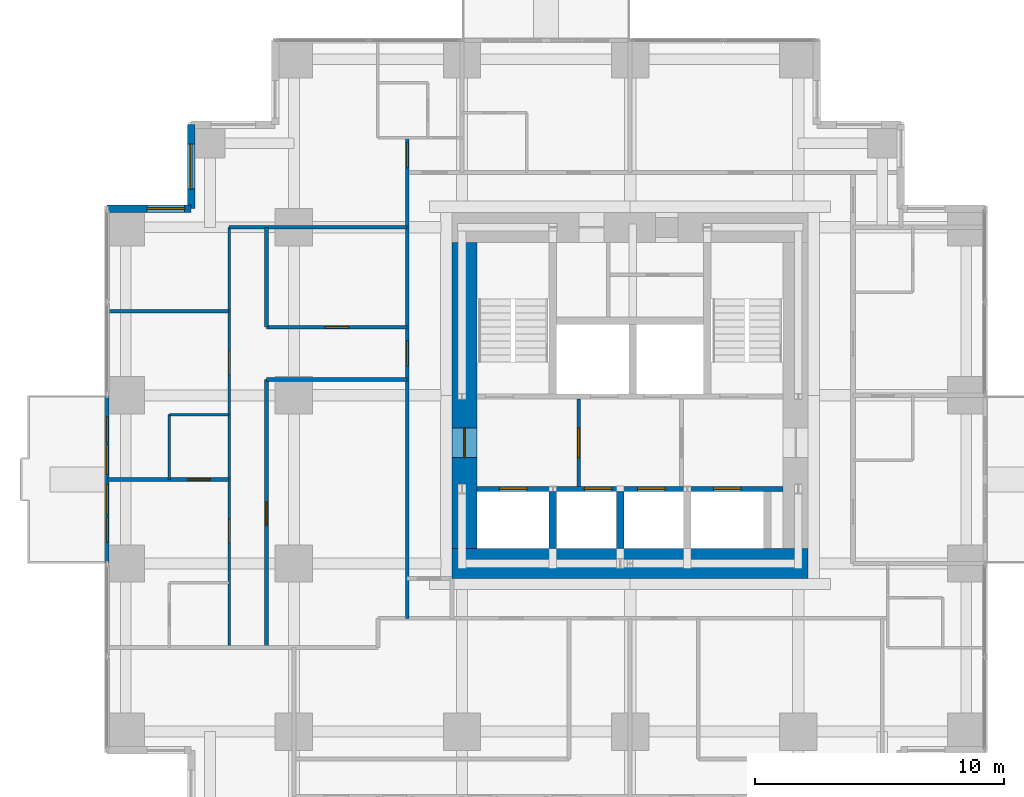
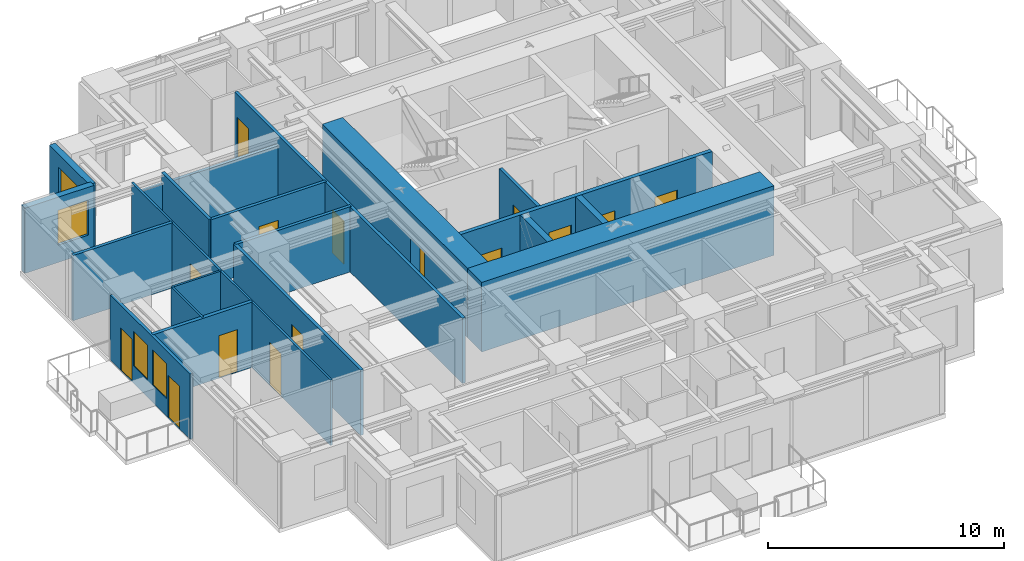
# One storey, part 6 of 10: 20 walls, 15 doors, 4 windows, 19 openings.
"""IFC4 building model written with IfcOpenShell, lengths in metres."""

from ifc_helpers import new_model, si_unit, direction, frame, frame_2d, origin, place, context, subcontext, project, spatial, rectangle, extrude, material, layer, layer_set, type_object, element, fill, save


model = new_model("IFC4")

# Units and contexts
model_context = context("Model", 3, precision=1e-05, world=origin(), true_north=direction((0.0, 1.0)))
body_context = subcontext(model_context, "Body", "Model", "MODEL_VIEW")
ifc_project = project(units=[si_unit("LENGTHUNIT", "METRE"), si_unit("AREAUNIT", "SQUARE_METRE"), si_unit("VOLUMEUNIT", "CUBIC_METRE"), si_unit("PLANEANGLEUNIT", "RADIAN"), si_unit("MASSUNIT", "GRAM", prefix="KILO")], contexts=[model_context])

# Site, building, storey
site_placement = place(None, origin())
site = spatial("IfcSite", under=ifc_project, at=site_placement, CompositionType="ELEMENT")
building_placement = place(site_placement, origin())
building = spatial("IfcBuilding", under=site, at=building_placement, Name="Nyansa Garden Tower", CompositionType="ELEMENT")
storey_placement = place(building_placement, frame((0.0, 0.0, 149.39990234375)))
storey = spatial("IfcBuildingStorey", under=building, at=storey_placement, Name="L40", CompositionType="ELEMENT", Elevation=149.39990234375)

# Wall, opening, door
ifc_material_1 = material(Name="Dense blockwork, plastered both sides, 55 dB", Category="masonry")
ifc_layer_1 = layer(ifc_material_1, 0.175048828125)
ifc_layer_set_1 = layer_set([ifc_layer_1], Name="Acoustic party wall PW175")
wall_type_1 = type_object("IfcWallType", Name="Acoustic party wall PW175", PredefinedType="PARTITIONING", material=ifc_layer_set_1)
wall_1_placement = place(storey_placement, frame((-0.73388671875, 16.875, 0.0), z_axis=(0.0, 0.0, 1.0), x_axis=(1.0, 0.0, 0.0)))
wall_1 = element("IfcWall", 1, at=wall_1_placement, inside=storey, type_object=wall_type_1, Name="Party wall", PredefinedType="PARTITIONING", context=body_context, shape_type="SweptSolid", body=[
    extrude(rectangle(XDim=4.8837890625, YDim=0.175048828125, at=frame_2d((2.44189453125, 0.0))), origin(), (0.0, 0.0, 1.0), 3.375),
])
opening_1_placement = place(wall_1_placement, frame((3.23388671875, 0.0, 0.0)))
opening_1 = element("IfcOpeningElement", 2, at=opening_1_placement, cuts=wall_1, Name="Opening D02", PredefinedType="OPENING", context=body_context, shape_type="SweptSolid", body=[
    extrude(rectangle(XDim=0.89990234375, YDim=2.199951171875, at=frame_2d((0.449951171875, 1.10009765625))), frame((0.0, 0.097412109375, 0.0), z_axis=(0.0, -1.0, 0.0), x_axis=(1.0, 0.0, 0.0)), (0.0, 0.0, 1.0), 0.195068359375),
])
ifc_material_2 = material(Name="Timber flush door", Category="wood")
door_type_1 = type_object("IfcDoorType", Name="En-suite door D02 900x2200", OperationType="SINGLE_SWING_RIGHT", PredefinedType="DOOR", material=ifc_material_2)
door_1_placement = place(opening_1_placement, origin())
door_1 = element("IfcDoor", 3, at=door_1_placement, inside=storey, type_object=door_type_1, Name="Door L40-049", OperationType="SINGLE_SWING_RIGHT", OverallHeight=2.199951171875, OverallWidth=0.89990234375, PredefinedType="DOOR", context=body_context, shape_type="SweptSolid", body=[
    extrude(rectangle(XDim=0.89990234375, YDim=2.199951171875, at=frame_2d((0.449951171875, 1.10009765625))), frame((0.0, 0.02490234375, 0.0), z_axis=(0.0, -1.0, 0.0), x_axis=(1.0, 0.0, 0.0)), (0.0, 0.0, 1.0), 0.050048828125),
])
fill(opening_1, door_1)

# Wall, openings, doors, windows
ifc_material_3 = material(Name="Black aluminium framed glazed screen", Category="aluminium")
ifc_layer_2 = layer(ifc_material_3, 0.14990234375)
ifc_layer_set_2 = layer_set([ifc_layer_2], Name="Balcony screen wall BW150")
wall_type_2 = type_object("IfcWallType", Name="Balcony screen wall BW150", PredefinedType="SOLIDWALL", material=ifc_layer_set_2)
wall_2_placement = place(storey_placement, frame((-0.75, 13.5, 0.0), z_axis=(0.0, 0.0, 1.0), x_axis=(0.0, 1.0, 0.0)))
wall_2 = element("IfcWall", 4, at=wall_2_placement, inside=storey, type_object=wall_type_2, Name="Glazed screen wall L40 W", PredefinedType="SOLIDWALL", context=body_context, shape_type="SweptSolid", body=[
    extrude(rectangle(XDim=6.75, YDim=0.14990234375, at=frame_2d((3.375, 0.0))), origin(), (0.0, 0.0, 1.0), 3.375),
])
opening_2_placement = place(wall_2_placement, frame((0.862548828125, 0.0, 0.0)))
opening_2 = element("IfcOpeningElement", 5, at=opening_2_placement, cuts=wall_2, Name="Opening D20", PredefinedType="OPENING", context=body_context, shape_type="SweptSolid", body=[
    extrude(rectangle(XDim=1.0, YDim=2.199951171875, at=frame_2d((0.5, 1.10009765625))), frame((0.0, 0.0849609375, 0.0), z_axis=(0.0, -1.0, 0.0), x_axis=(1.0, 0.0, 0.0)), (0.0, 0.0, 1.0), 0.169921875),
])
opening_3_placement = place(wall_2_placement, frame((1.97509765625, 0.0, 0.89990234375)))
opening_3 = element("IfcOpeningElement", 6, at=opening_3_placement, cuts=wall_2, Name="Opening W6", PredefinedType="OPENING", context=body_context, shape_type="SweptSolid", body=[
    extrude(rectangle(XDim=1.199951171875, YDim=1.800048828125, at=frame_2d((0.60009765625, 0.89990234375))), frame((0.0, 0.0849609375, 0.0), z_axis=(0.0, -1.0, 0.0), x_axis=(1.0, 0.0, 0.0)), (0.0, 0.0, 1.0), 0.169921875),
])
opening_4_placement = place(wall_2_placement, frame((4.887451171875, 0.0, 0.0)))
opening_4 = element("IfcOpeningElement", 7, at=opening_4_placement, cuts=wall_2, Name="Opening D20", PredefinedType="OPENING", context=body_context, shape_type="SweptSolid", body=[
    extrude(rectangle(XDim=1.0, YDim=2.199951171875, at=frame_2d((0.5, 1.10009765625))), frame((0.0, 0.0849609375, 0.0), z_axis=(0.0, -1.0, 0.0), x_axis=(1.0, 0.0, 0.0)), (0.0, 0.0, 1.0), 0.169921875),
])
opening_5_placement = place(wall_2_placement, frame((3.574951171875, 0.0, 0.89990234375)))
opening_5 = element("IfcOpeningElement", 8, at=opening_5_placement, cuts=wall_2, Name="Opening W6", PredefinedType="OPENING", context=body_context, shape_type="SweptSolid", body=[
    extrude(rectangle(XDim=1.199951171875, YDim=1.800048828125, at=frame_2d((0.60009765625, 0.89990234375))), frame((0.0, 0.0849609375, 0.0), z_axis=(0.0, -1.0, 0.0), x_axis=(1.0, 0.0, 0.0)), (0.0, 0.0, 1.0), 0.169921875),
])
ifc_material_4 = material(Name="Black aluminium framed glazed door", Category="aluminium")
door_type_2 = type_object("IfcDoorType", Name="Balcony door D20 1000x2200", OperationType="NOTDEFINED", PredefinedType="DOOR", material=ifc_material_4)
door_2_placement = place(opening_2_placement, origin())
door_2 = element("IfcDoor", 9, at=door_2_placement, inside=storey, type_object=door_type_2, Name="Balcony door L40", OperationType="SINGLE_SWING_LEFT", OverallHeight=2.199951171875, OverallWidth=1.0, PredefinedType="DOOR", context=body_context, shape_type="SweptSolid", body=[
    extrude(rectangle(XDim=1.0, YDim=2.199951171875, at=frame_2d((0.5, 1.10009765625))), frame((0.0, 0.02490234375, 0.0), z_axis=(0.0, -1.0, 0.0), x_axis=(1.0, 0.0, 0.0)), (0.0, 0.0, 1.0), 0.050048828125),
])
fill(opening_2, door_2)
door_3_placement = place(opening_4_placement, origin())
door_3 = element("IfcDoor", 10, at=door_3_placement, inside=storey, type_object=door_type_2, Name="Balcony door L40", OperationType="SINGLE_SWING_RIGHT", OverallHeight=2.199951171875, OverallWidth=1.0, PredefinedType="DOOR", context=body_context, shape_type="SweptSolid", body=[
    extrude(rectangle(XDim=1.0, YDim=2.199951171875, at=frame_2d((0.5, 1.10009765625))), frame((0.0, 0.02490234375, 0.0), z_axis=(0.0, -1.0, 0.0), x_axis=(1.0, 0.0, 0.0)), (0.0, 0.0, 1.0), 0.050048828125),
])
fill(opening_4, door_3)
ifc_material_5 = material(Name="Black aluminium frame, dark tinted double glazing", Category="aluminium")
window_type_1 = type_object("IfcWindowType", Name="Balcony window W6 1200x1800", PartitioningType="SINGLE_PANEL", PredefinedType="WINDOW", material=ifc_material_5)
window_1_placement = place(opening_3_placement, origin())
window_1 = element("IfcWindow", 11, at=window_1_placement, inside=storey, type_object=window_type_1, Name="Window L40", OverallHeight=1.800048828125, OverallWidth=1.199951171875, PartitioningType="SINGLE_PANEL", PredefinedType="WINDOW", context=body_context, shape_type="SweptSolid", body=[
    extrude(rectangle(XDim=1.199951171875, YDim=1.800048828125, at=frame_2d((0.60009765625, 0.89990234375))), frame((0.0, 0.030029296875, 0.0), z_axis=(0.0, -1.0, 0.0), x_axis=(1.0, 0.0, 0.0)), (0.0, 0.0, 1.0), 0.06005859375),
])
fill(opening_3, window_1)
window_2_placement = place(opening_5_placement, origin())
window_2 = element("IfcWindow", 12, at=window_2_placement, inside=storey, type_object=window_type_1, Name="Window L40", OverallHeight=1.800048828125, OverallWidth=1.199951171875, PartitioningType="SINGLE_PANEL", PredefinedType="WINDOW", context=body_context, shape_type="SweptSolid", body=[
    extrude(rectangle(XDim=1.199951171875, YDim=1.800048828125, at=frame_2d((0.60009765625, 0.89990234375))), frame((0.0, 0.030029296875, 0.0), z_axis=(0.0, -1.0, 0.0), x_axis=(1.0, 0.0, 0.0)), (0.0, 0.0, 1.0), 0.06005859375),
])
fill(opening_5, window_2)

# Wall, openings, doors
ifc_material_6 = material(Name="Concrete C70/85", Category="concrete")
ifc_layer_3 = layer(ifc_material_6, 0.199951171875)
ifc_layer_set_3 = layer_set([ifc_layer_3], Name="Core inner wall CI200")
wall_type_3 = type_object("IfcWallType", Name="Core inner wall CI200", PredefinedType="SHEAR", material=ifc_layer_set_3)
wall_3_placement = place(storey_placement, frame((14.10009765625, 16.5, 0.0), z_axis=(0.0, 0.0, 1.0), x_axis=(1.0, 0.0, 0.0)))
wall_3 = element("IfcWall", 13, at=wall_3_placement, inside=storey, type_object=wall_type_3, Name="Core inner wall L40", PredefinedType="SHEAR", context=body_context, shape_type="SweptSolid", body=[
    extrude(rectangle(XDim=12.2998046875, YDim=0.199951171875, at=frame_2d((6.14990234375, 0.0))), origin(), (0.0, 0.0, 1.0), 3.60009765625),
])
opening_6_placement = place(wall_3_placement, frame((0.89990234375, 0.0, 0.0)))
opening_6 = element("IfcOpeningElement", 14, at=opening_6_placement, cuts=wall_3, Name="Opening LD-F", PredefinedType="OPENING", context=body_context, shape_type="SweptSolid", body=[
    extrude(rectangle(XDim=1.10009765625, YDim=2.199951171875, at=frame_2d((0.550048828125, 1.10009765625))), frame((0.0, 0.10986328125, 0.0), z_axis=(0.0, -1.0, 0.0), x_axis=(1.0, 0.0, 0.0)), (0.0, 0.0, 1.0), 0.219970703125),
])
opening_7_placement = place(wall_3_placement, frame((4.31005859375, 0.0, 0.0)))
opening_7 = element("IfcOpeningElement", 15, at=opening_7_placement, cuts=wall_3, Name="Opening LD-B", PredefinedType="OPENING", context=body_context, shape_type="SweptSolid", body=[
    extrude(rectangle(XDim=1.10009765625, YDim=2.199951171875, at=frame_2d((0.550048828125, 1.10009765625))), frame((0.0, 0.10986328125, 0.0), z_axis=(0.0, -1.0, 0.0), x_axis=(1.0, 0.0, 0.0)), (0.0, 0.0, 1.0), 0.219970703125),
])
opening_8_placement = place(wall_3_placement, frame((6.449951171875, 0.0, 0.0)))
opening_8 = element("IfcOpeningElement", 16, at=opening_8_placement, cuts=wall_3, Name="Opening LD-B", PredefinedType="OPENING", context=body_context, shape_type="SweptSolid", body=[
    extrude(rectangle(XDim=1.10009765625, YDim=2.199951171875, at=frame_2d((0.550048828125, 1.10009765625))), frame((0.0, 0.10986328125, 0.0), z_axis=(0.0, -1.0, 0.0), x_axis=(1.0, 0.0, 0.0)), (0.0, 0.0, 1.0), 0.219970703125),
])
opening_9_placement = place(wall_3_placement, frame((9.5, 0.0, 0.0)))
opening_9 = element("IfcOpeningElement", 17, at=opening_9_placement, cuts=wall_3, Name="Opening LD-F", PredefinedType="OPENING", context=body_context, shape_type="SweptSolid", body=[
    extrude(rectangle(XDim=1.10009765625, YDim=2.199951171875, at=frame_2d((0.550048828125, 1.10009765625))), frame((0.0, 0.10986328125, 0.0), z_axis=(0.0, -1.0, 0.0), x_axis=(1.0, 0.0, 0.0)), (0.0, 0.0, 1.0), 0.219970703125),
])
ifc_material_7 = material(Name="Stainless steel centre-opening landing door of the high-rise lift, E 120", Category="steel")
door_type_3 = type_object("IfcDoorType", Name="Lift landing door LD-B 1100x2200", OperationType="DOUBLE_DOOR_SLIDING", PredefinedType="DOOR", material=ifc_material_7)
door_4_placement = place(opening_7_placement, origin())
door_4 = element("IfcDoor", 18, at=door_4_placement, inside=storey, type_object=door_type_3, Name="Landing door B1", OperationType="DOUBLE_DOOR_SLIDING", OverallHeight=2.199951171875, OverallWidth=1.10009765625, PredefinedType="DOOR", context=body_context, shape_type="SweptSolid", body=[
    extrude(rectangle(XDim=1.10009765625, YDim=2.199951171875, at=frame_2d((0.550048828125, 1.10009765625))), frame((0.0, 0.02490234375, 0.0), z_axis=(0.0, -1.0, 0.0), x_axis=(1.0, 0.0, 0.0)), (0.0, 0.0, 1.0), 0.050048828125),
])
fill(opening_7, door_4)
door_5_placement = place(opening_8_placement, origin())
door_5 = element("IfcDoor", 19, at=door_5_placement, inside=storey, type_object=door_type_3, Name="Landing door B2", OperationType="DOUBLE_DOOR_SLIDING", OverallHeight=2.199951171875, OverallWidth=1.10009765625, PredefinedType="DOOR", context=body_context, shape_type="SweptSolid", body=[
    extrude(rectangle(XDim=1.10009765625, YDim=2.199951171875, at=frame_2d((0.550048828125, 1.10009765625))), frame((0.0, 0.02490234375, 0.0), z_axis=(0.0, -1.0, 0.0), x_axis=(1.0, 0.0, 0.0)), (0.0, 0.0, 1.0), 0.050048828125),
])
fill(opening_8, door_5)
ifc_material_8 = material(Name="Stainless steel centre-opening landing door of the firefighting lift, EN 81-72, E 120", Category="steel")
door_type_4 = type_object("IfcDoorType", Name="Lift landing door LD-F 1100x2200", OperationType="DOUBLE_DOOR_SLIDING", PredefinedType="DOOR", material=ifc_material_8)
door_6_placement = place(opening_6_placement, origin())
door_6 = element("IfcDoor", 20, at=door_6_placement, inside=storey, type_object=door_type_4, Name="Landing door FF1", OperationType="DOUBLE_DOOR_SLIDING", OverallHeight=2.199951171875, OverallWidth=1.10009765625, PredefinedType="DOOR", context=body_context, shape_type="SweptSolid", body=[
    extrude(rectangle(XDim=1.10009765625, YDim=2.199951171875, at=frame_2d((0.550048828125, 1.10009765625))), frame((0.0, 0.02490234375, 0.0), z_axis=(0.0, -1.0, 0.0), x_axis=(1.0, 0.0, 0.0)), (0.0, 0.0, 1.0), 0.050048828125),
])
fill(opening_6, door_6)
door_7_placement = place(opening_9_placement, origin())
door_7 = element("IfcDoor", 21, at=door_7_placement, inside=storey, type_object=door_type_4, Name="Landing door FF2", OperationType="DOUBLE_DOOR_SLIDING", OverallHeight=2.199951171875, OverallWidth=1.10009765625, PredefinedType="DOOR", context=body_context, shape_type="SweptSolid", body=[
    extrude(rectangle(XDim=1.10009765625, YDim=2.199951171875, at=frame_2d((0.550048828125, 1.10009765625))), frame((0.0, 0.02490234375, 0.0), z_axis=(0.0, -1.0, 0.0), x_axis=(1.0, 0.0, 0.0)), (0.0, 0.0, 1.0), 0.050048828125),
])
fill(opening_9, door_7)

# Walls
ifc_material_9 = material(Name="Concrete C70/85", Category="concrete")
ifc_layer_4 = layer(ifc_material_9, 0.300048828125)
ifc_layer_set_4 = layer_set([ifc_layer_4], Name="Core inner wall CI300")
wall_type_4 = type_object("IfcWallType", Name="Core inner wall CI300", PredefinedType="SHEAR", material=ifc_layer_set_4)
for number, where, z_axis, x_axis, name in (
    (22, (17.14990234375, 14.10009765625, 0.0), (0.0, 0.0, 1.0), (0.0, 1.0, 0.0), "Core inner wall L40"),
    (23, (19.85009765625, 14.10009765625, 0.0), (0.0, 0.0, 1.0), (0.0, 1.0, 0.0), "Core inner wall L40"),
):
    element("IfcWall", number, at=place(storey_placement, frame(where, z_axis=z_axis, x_axis=x_axis)), inside=storey, type_object=wall_type_4, Name=name, PredefinedType="SHEAR", context=body_context, shape_type="SweptSolid", body=[
        extrude(rectangle(XDim=2.2998046875, YDim=0.300048828125, at=frame_2d((1.14990234375, 0.0))), origin(), (0.0, 0.0, 1.0), 3.60009765625),
    ])

# Wall, opening, door
ifc_material_10 = material(Name="Concrete C80/95", Category="concrete")
ifc_layer_5 = layer(ifc_material_10, 1.0)
ifc_layer_set_5 = layer_set([ifc_layer_5], Name="Core wall CW1000")
wall_type_5 = type_object("IfcWallType", Name="Core wall CW1000", PredefinedType="SHEAR", material=ifc_layer_set_5)
wall_4_placement = place(storey_placement, frame((13.60009765625, 26.39990234375, 0.0), z_axis=(0.0, 0.0, 1.0), x_axis=(0.0, -1.0, 0.0)))
wall_4 = element("IfcWall", 24, at=wall_4_placement, inside=storey, type_object=wall_type_5, Name="Core wall W L40", PredefinedType="SHEAR", context=body_context, shape_type="SweptSolid", body=[
    extrude(rectangle(XDim=12.2998046875, YDim=1.0, at=frame_2d((6.14990234375, 0.0))), origin(), (0.0, 0.0, 1.0), 3.60009765625),
])
opening_10_placement = place(wall_4_placement, frame((7.449951171875, 0.0, 0.0)))
opening_10 = element("IfcOpeningElement", 25, at=opening_10_placement, cuts=wall_4, Name="Opening D06", PredefinedType="OPENING", context=body_context, shape_type="SweptSolid", body=[
    extrude(rectangle(XDim=1.199951171875, YDim=2.199951171875, at=frame_2d((0.60009765625, 1.10009765625))), frame((0.0, 0.510009765625, 0.0), z_axis=(0.0, -1.0, 0.0), x_axis=(1.0, 0.0, 0.0)), (0.0, 0.0, 1.0), 1.02001953125),
])
ifc_material_11 = material(Name="Steel door, 120 minute fire resisting", Category="steel")
door_type_5 = type_object("IfcDoorType", Name="Lobby door D06 1200x2200", OperationType="DOUBLE_DOOR_SINGLE_SWING", PredefinedType="DOOR", material=ifc_material_11)
door_8_placement = place(opening_10_placement, origin())
door_8 = element("IfcDoor", 26, at=door_8_placement, inside=storey, type_object=door_type_5, Name="Lift lobby door west", OperationType="DOUBLE_DOOR_SINGLE_SWING", OverallHeight=2.199951171875, OverallWidth=1.199951171875, PredefinedType="DOOR", context=body_context, shape_type="SweptSolid", body=[
    extrude(rectangle(XDim=1.199951171875, YDim=2.199951171875, at=frame_2d((0.60009765625, 1.10009765625))), frame((0.0, 0.02490234375, 0.0), z_axis=(0.0, -1.0, 0.0), x_axis=(1.0, 0.0, 0.0)), (0.0, 0.0, 1.0), 0.050048828125),
])
fill(opening_10, door_8)

# Wall
ifc_material_12 = material(Name="Concrete C80/95", Category="concrete")
ifc_layer_6 = layer(ifc_material_12, 1.199951171875)
ifc_layer_set_6 = layer_set([ifc_layer_6], Name="Core wall CW1200")
wall_type_6 = type_object("IfcWallType", Name="Core wall CW1200", PredefinedType="SHEAR", material=ifc_layer_set_6)
wall_5_placement = place(storey_placement, frame((13.10009765625, 13.5, 0.0), z_axis=(0.0, 0.0, 1.0), x_axis=(1.0, 0.0, 0.0)))
element("IfcWall", 27, at=wall_5_placement, inside=storey, type_object=wall_type_6, Name="Core wall S L40", PredefinedType="SHEAR", context=body_context, shape_type="SweptSolid", body=[
    extrude(rectangle(XDim=14.2998046875, YDim=1.199951171875, at=frame_2d((7.14990234375, 0.0))), origin(), (0.0, 0.0, 1.0), 3.60009765625),
])

# Wall, opening, door
ifc_material_13 = material(Name="Blockwork, plastered both sides", Category="masonry")
ifc_layer_7 = layer(ifc_material_13, 0.14990234375)
ifc_layer_set_7 = layer_set([ifc_layer_7], Name="Partition PW150")
wall_type_7 = type_object("IfcWallType", Name="Partition PW150", PredefinedType="PARTITIONING", material=ifc_layer_set_7)
wall_6_placement = place(storey_placement, frame((18.18505859375, 16.60009765625, 0.0), z_axis=(0.0, 0.0, 1.0), x_axis=(0.0, 1.0, 0.0)))
wall_6 = element("IfcWall", 28, at=wall_6_placement, inside=storey, type_object=wall_type_7, Name="Partition", PredefinedType="PARTITIONING", context=body_context, shape_type="SweptSolid", body=[
    extrude(rectangle(XDim=3.5, YDim=0.14990234375, at=frame_2d((1.75, 0.0))), origin(), (0.0, 0.0, 1.0), 3.375),
])
opening_11_placement = place(wall_6_placement, frame((1.14990234375, 0.0, 0.0)))
opening_11 = element("IfcOpeningElement", 29, at=opening_11_placement, cuts=wall_6, Name="Opening D06", PredefinedType="OPENING", context=body_context, shape_type="SweptSolid", body=[
    extrude(rectangle(XDim=1.199951171875, YDim=2.199951171875, at=frame_2d((0.60009765625, 1.10009765625))), frame((0.0, 0.0849609375, 0.0), z_axis=(0.0, -1.0, 0.0), x_axis=(1.0, 0.0, 0.0)), (0.0, 0.0, 1.0), 0.169921875),
])
door_9_placement = place(opening_11_placement, origin())
door_9 = element("IfcDoor", 30, at=door_9_placement, inside=storey, type_object=door_type_5, Name="Passenger lift lobby door", OperationType="DOUBLE_DOOR_SINGLE_SWING", OverallHeight=2.199951171875, OverallWidth=1.199951171875, PredefinedType="DOOR", context=body_context, shape_type="SweptSolid", body=[
    extrude(rectangle(XDim=1.199951171875, YDim=2.199951171875, at=frame_2d((0.60009765625, 1.10009765625))), frame((0.0, 0.02490234375, 0.0), z_axis=(0.0, -1.0, 0.0), x_axis=(1.0, 0.0, 0.0)), (0.0, 0.0, 1.0), 0.050048828125),
])
fill(opening_11, door_9)

# Walls
wall_7_placement = place(storey_placement, frame((-0.73388671875, 23.625, 0.0), z_axis=(0.0, 0.0, 1.0), x_axis=(1.0, 0.0, 0.0)))
element("IfcWall", 31, at=wall_7_placement, inside=storey, type_object=wall_type_7, Name="Partition", PredefinedType="PARTITIONING", context=body_context, shape_type="SweptSolid", body=[
    extrude(rectangle(XDim=4.8837890625, YDim=0.14990234375, at=frame_2d((2.44189453125, 0.0))), origin(), (0.0, 0.0, 1.0), 3.375),
])
wall_8_placement = place(storey_placement, frame((4.14990234375, 27.0, 0.0), z_axis=(0.0, 0.0, 1.0), x_axis=(1.0, 0.0, 0.0)))
element("IfcWall", 32, at=wall_8_placement, inside=storey, type_object=wall_type_7, Name="Partition", PredefinedType="PARTITIONING", context=body_context, shape_type="SweptSolid", body=[
    extrude(rectangle(XDim=7.150146484375, YDim=0.14990234375, at=frame_2d((3.5751953125, 0.0))), origin(), (0.0, 0.0, 1.0), 2.80615234375),
])

# Wall, opening, door
wall_9_placement = place(storey_placement, frame((5.64990234375, 10.125, 0.0), z_axis=(0.0, 0.0, 1.0), x_axis=(0.0, 1.0, 0.0)))
wall_9 = element("IfcWall", 33, at=wall_9_placement, inside=storey, type_object=wall_type_7, Name="Partition", PredefinedType="PARTITIONING", context=body_context, shape_type="SweptSolid", body=[
    extrude(rectangle(XDim=10.762451171875, YDim=0.14990234375, at=frame_2d((5.38134765625, 0.0))), origin(), (0.0, 0.0, 1.0), 3.375),
])
opening_12_placement = place(wall_9_placement, frame((4.89990234375, 0.0, 0.0)))
opening_12 = element("IfcOpeningElement", 34, at=opening_12_placement, cuts=wall_9, Name="Opening D01", PredefinedType="OPENING", context=body_context, shape_type="SweptSolid", body=[
    extrude(rectangle(XDim=0.949951171875, YDim=2.199951171875, at=frame_2d((0.47509765625, 1.10009765625))), frame((0.0, 0.0849609375, 0.0), z_axis=(0.0, -1.0, 0.0), x_axis=(1.0, 0.0, 0.0)), (0.0, 0.0, 1.0), 0.169921875),
])
ifc_material_14 = material(Name="Timber flush door, 30 minute fire resisting", Category="wood")
door_type_6 = type_object("IfcDoorType", Name="Bedroom door D01 950x2200", OperationType="SINGLE_SWING_LEFT", PredefinedType="DOOR", material=ifc_material_14)
door_10_placement = place(opening_12_placement, origin())
door_10 = element("IfcDoor", 35, at=door_10_placement, inside=storey, type_object=door_type_6, Name="Door L40-051", OperationType="SINGLE_SWING_LEFT", OverallHeight=2.199951171875, OverallWidth=0.949951171875, PredefinedType="DOOR", context=body_context, shape_type="SweptSolid", body=[
    extrude(rectangle(XDim=0.949951171875, YDim=2.199951171875, at=frame_2d((0.47509765625, 1.10009765625))), frame((0.0, 0.02490234375, 0.0), z_axis=(0.0, -1.0, 0.0), x_axis=(1.0, 0.0, 0.0)), (0.0, 0.0, 1.0), 0.050048828125),
])
fill(opening_12, door_10)

# Walls
wall_10_placement = place(storey_placement, frame((5.64990234375, 20.886962890625, 0.0), z_axis=(0.0, 0.0, 1.0), x_axis=(1.0, 0.0, 0.0)))
element("IfcWall", 36, at=wall_10_placement, inside=storey, type_object=wall_type_7, Name="Partition", PredefinedType="PARTITIONING", context=body_context, shape_type="SweptSolid", body=[
    extrude(rectangle(XDim=5.650146484375, YDim=0.14990234375, at=frame_2d((2.8251953125, 0.0))), origin(), (0.0, 0.0, 1.0), 3.375),
])
wall_11_placement = place(storey_placement, frame((5.64990234375, 22.987548828125, 0.0), z_axis=(0.0, 0.0, 1.0), x_axis=(0.0, 1.0, 0.0)))
element("IfcWall", 37, at=wall_11_placement, inside=storey, type_object=wall_type_7, Name="Partition", PredefinedType="PARTITIONING", context=body_context, shape_type="SweptSolid", body=[
    extrude(rectangle(XDim=4.012451171875, YDim=0.14990234375, at=frame_2d((2.00634765625, 0.0))), origin(), (0.0, 0.0, 1.0), 3.375),
])

# Wall, opening, door
wall_12_placement = place(storey_placement, frame((5.64990234375, 22.988037109375, 0.0), z_axis=(0.0, 0.0, 1.0), x_axis=(1.0, 0.0, 0.0)))
wall_12 = element("IfcWall", 38, at=wall_12_placement, inside=storey, type_object=wall_type_7, Name="Partition", PredefinedType="PARTITIONING", context=body_context, shape_type="SweptSolid", body=[
    extrude(rectangle(XDim=5.650146484375, YDim=0.14990234375, at=frame_2d((2.8251953125, 0.0))), origin(), (0.0, 0.0, 1.0), 3.375),
])
opening_13_placement = place(wall_12_placement, frame((2.35009765625, 0.0, 0.0)))
opening_13 = element("IfcOpeningElement", 39, at=opening_13_placement, cuts=wall_12, Name="Opening D01", PredefinedType="OPENING", context=body_context, shape_type="SweptSolid", body=[
    extrude(rectangle(XDim=0.949951171875, YDim=2.199951171875, at=frame_2d((0.47509765625, 1.10009765625))), frame((0.0, 0.0849609375, 0.0), z_axis=(0.0, -1.0, 0.0), x_axis=(1.0, 0.0, 0.0)), (0.0, 0.0, 1.0), 0.169921875),
])
door_11_placement = place(opening_13_placement, origin())
door_11 = element("IfcDoor", 40, at=door_11_placement, inside=storey, type_object=door_type_6, Name="Door L40-052", OperationType="SINGLE_SWING_LEFT", OverallHeight=2.199951171875, OverallWidth=0.949951171875, PredefinedType="DOOR", context=body_context, shape_type="SweptSolid", body=[
    extrude(rectangle(XDim=0.949951171875, YDim=2.199951171875, at=frame_2d((0.47509765625, 1.10009765625))), frame((0.0, 0.02490234375, 0.0), z_axis=(0.0, -1.0, 0.0), x_axis=(1.0, 0.0, 0.0)), (0.0, 0.0, 1.0), 0.050048828125),
])
fill(opening_13, door_11)

# Wall, openings, doors
wall_13_placement = place(storey_placement, frame((11.300048828125, 11.300048828125, 0.0), z_axis=(0.0, 0.0, 1.0), x_axis=(0.0, 1.0, 0.0)))
wall_13 = element("IfcWall", 41, at=wall_13_placement, inside=storey, type_object=wall_type_7, Name="Partition", PredefinedType="PARTITIONING", context=body_context, shape_type="SweptSolid", body=[
    extrude(rectangle(XDim=19.300048828125, YDim=0.14990234375, at=frame_2d((9.64990234375, 0.0))), origin(), (0.0, 0.0, 1.0), 3.375),
])
opening_14_placement = place(wall_13_placement, frame((18.10009765625, 0.0, 0.0)))
opening_14 = element("IfcOpeningElement", 42, at=opening_14_placement, cuts=wall_13, Name="Opening D03", PredefinedType="OPENING", context=body_context, shape_type="SweptSolid", body=[
    extrude(rectangle(XDim=1.0, YDim=2.199951171875, at=frame_2d((0.5, 1.10009765625))), frame((0.0, 0.0849609375, 0.0), z_axis=(0.0, -1.0, 0.0), x_axis=(1.0, 0.0, 0.0)), (0.0, 0.0, 1.0), 0.169921875),
])
opening_15_placement = place(wall_13_placement, frame((10.137451171875, 0.0, 0.0)))
opening_15 = element("IfcOpeningElement", 43, at=opening_15_placement, cuts=wall_13, Name="Opening D03", PredefinedType="OPENING", context=body_context, shape_type="SweptSolid", body=[
    extrude(rectangle(XDim=1.0, YDim=2.199951171875, at=frame_2d((0.5, 1.10009765625))), frame((0.0, 0.0849609375, 0.0), z_axis=(0.0, -1.0, 0.0), x_axis=(1.0, 0.0, 0.0)), (0.0, 0.0, 1.0), 0.169921875),
])
ifc_material_15 = material(Name="Timber flush door, 60 minute fire resisting", Category="wood")
door_type_7 = type_object("IfcDoorType", Name="Cluster entrance door D03 1000x2200", OperationType="SINGLE_SWING_LEFT", PredefinedType="DOOR", material=ifc_material_15)
door_12_placement = place(opening_14_placement, origin())
door_12 = element("IfcDoor", 44, at=door_12_placement, inside=storey, type_object=door_type_7, Name="Door L40-045", OperationType="SINGLE_SWING_LEFT", OverallHeight=2.199951171875, OverallWidth=1.0, PredefinedType="DOOR", context=body_context, shape_type="SweptSolid", body=[
    extrude(rectangle(XDim=1.0, YDim=2.199951171875, at=frame_2d((0.5, 1.10009765625))), frame((0.0, 0.02490234375, 0.0), z_axis=(0.0, -1.0, 0.0), x_axis=(1.0, 0.0, 0.0)), (0.0, 0.0, 1.0), 0.050048828125),
])
fill(opening_14, door_12)
door_13_placement = place(opening_15_placement, origin())
door_13 = element("IfcDoor", 45, at=door_13_placement, inside=storey, type_object=door_type_7, Name="Door L40-050", OperationType="SINGLE_SWING_LEFT", OverallHeight=2.199951171875, OverallWidth=1.0, PredefinedType="DOOR", context=body_context, shape_type="SweptSolid", body=[
    extrude(rectangle(XDim=1.0, YDim=2.199951171875, at=frame_2d((0.5, 1.10009765625))), frame((0.0, 0.02490234375, 0.0), z_axis=(0.0, -1.0, 0.0), x_axis=(1.0, 0.0, 0.0)), (0.0, 0.0, 1.0), 0.050048828125),
])
fill(opening_15, door_13)

# Wall, opening, window
ifc_material_16 = material(Name="Turquoise glazed tile on concrete blockwork", Category="masonry")
ifc_layer_8 = layer(ifc_material_16, 0.300048828125)
ifc_layer_set_8 = layer_set([ifc_layer_8], Name="Tiled corner wall TW300")
wall_type_8 = type_object("IfcWallType", Name="Tiled corner wall TW300", PredefinedType="SOLIDWALL", material=ifc_layer_set_8)
wall_14_placement = place(storey_placement, frame((2.625, 31.125, 0.0), z_axis=(0.0, 0.0, 1.0), x_axis=(0.0, -1.0, 0.0)))
wall_14 = element("IfcWall", 46, at=wall_14_placement, inside=storey, type_object=wall_type_8, Name="Tiled corner wall L40", PredefinedType="SOLIDWALL", context=body_context, shape_type="SweptSolid", body=[
    extrude(rectangle(XDim=3.375, YDim=0.300048828125, at=frame_2d((1.6875, 0.0))), origin(), (0.0, 0.0, 1.0), 3.375),
])
opening_16_placement = place(wall_14_placement, frame((0.78759765625, 0.0, 0.60009765625)))
opening_16 = element("IfcOpeningElement", 47, at=opening_16_placement, cuts=wall_14, Name="Opening W2", PredefinedType="OPENING", context=body_context, shape_type="SweptSolid", body=[
    extrude(rectangle(XDim=1.800048828125, YDim=2.10009765625, at=frame_2d((0.89990234375, 1.050048828125))), frame((0.0, 0.159912109375, 0.0), z_axis=(0.0, -1.0, 0.0), x_axis=(1.0, 0.0, 0.0)), (0.0, 0.0, 1.0), 0.320068359375),
])
ifc_material_17 = material(Name="Black aluminium frame, dark tinted double glazing", Category="aluminium")
window_type_2 = type_object("IfcWindowType", Name="Window W2 1800x2100", PartitioningType="SINGLE_PANEL", PredefinedType="WINDOW", material=ifc_material_17)
window_3_placement = place(opening_16_placement, origin())
window_3 = element("IfcWindow", 48, at=window_3_placement, inside=storey, type_object=window_type_2, Name="Corner window L40", OverallHeight=2.10009765625, OverallWidth=1.800048828125, PartitioningType="SINGLE_PANEL", PredefinedType="WINDOW", context=body_context, shape_type="SweptSolid", body=[
    extrude(rectangle(XDim=1.800048828125, YDim=2.10009765625, at=frame_2d((0.89990234375, 1.050048828125))), frame((0.0, 0.030029296875, 0.0), z_axis=(0.0, -1.0, 0.0), x_axis=(1.0, 0.0, 0.0)), (0.0, 0.0, 1.0), 0.06005859375),
])
fill(opening_16, window_3)

wall_15_placement = place(storey_placement, frame((2.625, 27.75, 0.0), z_axis=(0.0, 0.0, 1.0), x_axis=(-1.0, 0.0, 0.0)))
wall_15 = element("IfcWall", 49, at=wall_15_placement, inside=storey, type_object=wall_type_8, Name="Tiled corner wall L40", PredefinedType="SOLIDWALL", context=body_context, shape_type="SweptSolid", body=[
    extrude(rectangle(XDim=3.375, YDim=0.300048828125, at=frame_2d((1.6875, 0.0))), origin(), (0.0, 0.0, 1.0), 3.375),
])
opening_17_placement = place(wall_15_placement, frame((0.267578125, 0.0, 0.89990234375)))
opening_17 = element("IfcOpeningElement", 50, at=opening_17_placement, cuts=wall_15, Name="Opening W1", PredefinedType="OPENING", context=body_context, shape_type="SweptSolid", body=[
    extrude(rectangle(XDim=1.5, YDim=1.800048828125, at=frame_2d((0.75, 0.89990234375))), frame((0.0, 0.159912109375, 0.0), z_axis=(0.0, -1.0, 0.0), x_axis=(1.0, 0.0, 0.0)), (0.0, 0.0, 1.0), 0.320068359375),
])
ifc_material_18 = material(Name="Black aluminium frame, dark tinted double glazing", Category="aluminium")
window_type_3 = type_object("IfcWindowType", Name="Window W1 1500x1800", PartitioningType="SINGLE_PANEL", PredefinedType="WINDOW", material=ifc_material_18)
window_4_placement = place(opening_17_placement, origin())
window_4 = element("IfcWindow", 51, at=window_4_placement, inside=storey, type_object=window_type_3, Name="Corner window L40", OverallHeight=1.800048828125, OverallWidth=1.5, PartitioningType="SINGLE_PANEL", PredefinedType="WINDOW", context=body_context, shape_type="SweptSolid", body=[
    extrude(rectangle(XDim=1.5, YDim=1.800048828125, at=frame_2d((0.75, 0.89990234375))), frame((0.0, 0.030029296875, 0.0), z_axis=(0.0, -1.0, 0.0), x_axis=(1.0, 0.0, 0.0)), (0.0, 0.0, 1.0), 0.06005859375),
])
fill(opening_17, window_4)

# Walls
ifc_material_19 = material(Name="Moisture resistant board on steel studs, tiled", Category="steel")
ifc_layer_9 = layer(ifc_material_19, 0.10009765625)
ifc_layer_set_9 = layer_set([ifc_layer_9], Name="Wet wall PW100")
wall_type_9 = type_object("IfcWallType", Name="Wet wall PW100", PredefinedType="PARTITIONING", material=ifc_layer_set_9)
wall_16_placement = place(storey_placement, frame((1.75, 16.875, 0.0), z_axis=(0.0, 0.0, 1.0), x_axis=(0.0, 1.0, 0.0)))
element("IfcWall", 52, at=wall_16_placement, inside=storey, type_object=wall_type_9, Name="Wet wall", PredefinedType="PARTITIONING", context=body_context, shape_type="SweptSolid", body=[
    extrude(rectangle(XDim=2.60009765625, YDim=0.10009765625, at=frame_2d((1.300048828125, 0.0))), origin(), (0.0, 0.0, 1.0), 3.375),
])
wall_17_placement = place(storey_placement, frame((1.75, 19.47509765625, 0.0), z_axis=(0.0, 0.0, 1.0), x_axis=(1.0, 0.0, 0.0)))
element("IfcWall", 53, at=wall_17_placement, inside=storey, type_object=wall_type_9, Name="Wet wall", PredefinedType="PARTITIONING", context=body_context, shape_type="SweptSolid", body=[
    extrude(rectangle(XDim=2.39990234375, YDim=0.10009765625, at=frame_2d((1.199951171875, 0.0))), origin(), (0.0, 0.0, 1.0), 3.375),
])

# Wall, openings, doors
wall_18_placement = place(storey_placement, frame((4.14990234375, 10.125, 0.0), z_axis=(0.0, 0.0, 1.0), x_axis=(0.0, 1.0, 0.0)))
wall_18 = element("IfcWall", 54, at=wall_18_placement, inside=storey, type_object=wall_type_9, Name="Wet wall", PredefinedType="PARTITIONING", context=body_context, shape_type="SweptSolid", body=[
    extrude(rectangle(XDim=16.875, YDim=0.10009765625, at=frame_2d((8.4375, 0.0))), origin(), (0.0, 0.0, 1.0), 3.375),
])
opening_18_placement = place(wall_18_placement, frame((4.199951171875, 0.0, 0.0)))
opening_18 = element("IfcOpeningElement", 55, at=opening_18_placement, cuts=wall_18, Name="Opening D14", PredefinedType="OPENING", context=body_context, shape_type="SweptSolid", body=[
    extrude(rectangle(XDim=0.949951171875, YDim=2.199951171875, at=frame_2d((0.47509765625, 1.10009765625))), frame((0.0, 0.06005859375, 0.0), z_axis=(0.0, -1.0, 0.0), x_axis=(1.0, 0.0, 0.0)), (0.0, 0.0, 1.0), 0.1201171875),
])
opening_19_placement = place(wall_18_placement, frame((10.949951171875, 0.0, 0.0)))
opening_19 = element("IfcOpeningElement", 56, at=opening_19_placement, cuts=wall_18, Name="Opening D14", PredefinedType="OPENING", context=body_context, shape_type="SweptSolid", body=[
    extrude(rectangle(XDim=0.949951171875, YDim=2.199951171875, at=frame_2d((0.47509765625, 1.10009765625))), frame((0.0, 0.06005859375, 0.0), z_axis=(0.0, -1.0, 0.0), x_axis=(1.0, 0.0, 0.0)), (0.0, 0.0, 1.0), 0.1201171875),
])
ifc_material_20 = material(Name="Timber flush door, 60 minute fire resisting, self-closing", Category="wood")
door_type_8 = type_object("IfcDoorType", Name="Studio entrance door D14 950x2200", OperationType="SINGLE_SWING_LEFT", PredefinedType="DOOR", material=ifc_material_20)
door_14_placement = place(opening_18_placement, origin())
door_14 = element("IfcDoor", 57, at=door_14_placement, inside=storey, type_object=door_type_8, Name="Door L40-046", OperationType="SINGLE_SWING_LEFT", OverallHeight=2.199951171875, OverallWidth=0.949951171875, PredefinedType="DOOR", context=body_context, shape_type="SweptSolid", body=[
    extrude(rectangle(XDim=0.949951171875, YDim=2.199951171875, at=frame_2d((0.47509765625, 1.10009765625))), frame((0.0, 0.02490234375, 0.0), z_axis=(0.0, -1.0, 0.0), x_axis=(1.0, 0.0, 0.0)), (0.0, 0.0, 1.0), 0.050048828125),
])
fill(opening_18, door_14)
door_15_placement = place(opening_19_placement, origin())
door_15 = element("IfcDoor", 58, at=door_15_placement, inside=storey, type_object=door_type_8, Name="Door L40-048", OperationType="SINGLE_SWING_LEFT", OverallHeight=2.199951171875, OverallWidth=0.949951171875, PredefinedType="DOOR", context=body_context, shape_type="SweptSolid", body=[
    extrude(rectangle(XDim=0.949951171875, YDim=2.199951171875, at=frame_2d((0.47509765625, 1.10009765625))), frame((0.0, 0.02490234375, 0.0), z_axis=(0.0, -1.0, 0.0), x_axis=(1.0, 0.0, 0.0)), (0.0, 0.0, 1.0), 0.050048828125),
])
fill(opening_19, door_15)

save(model, "model.ifc")
